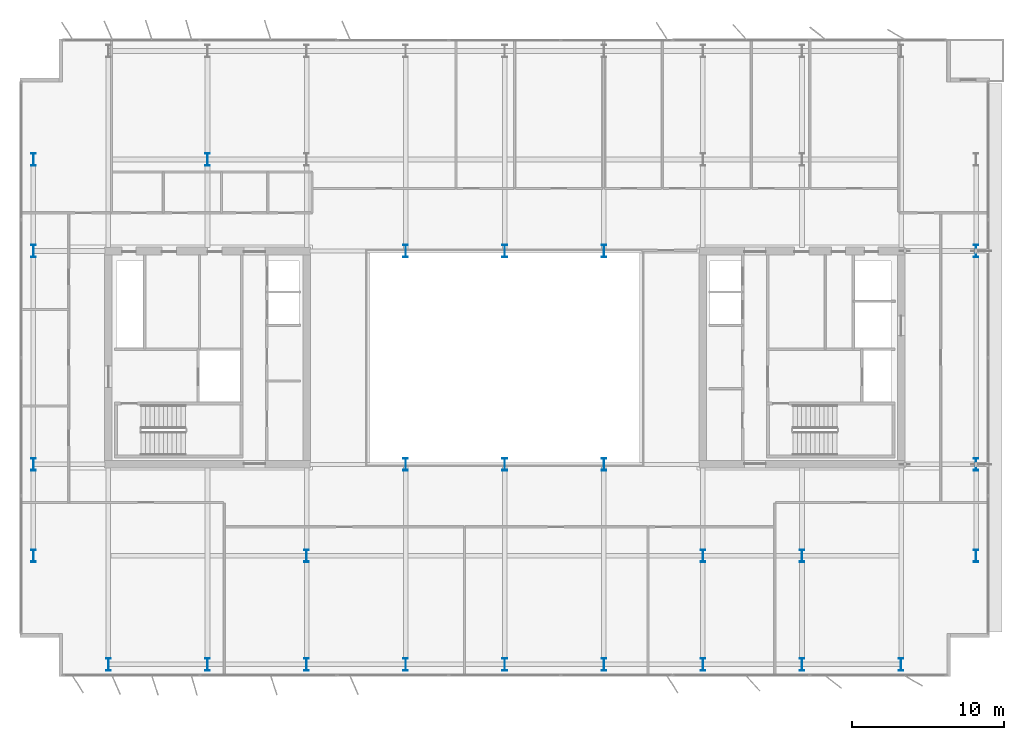
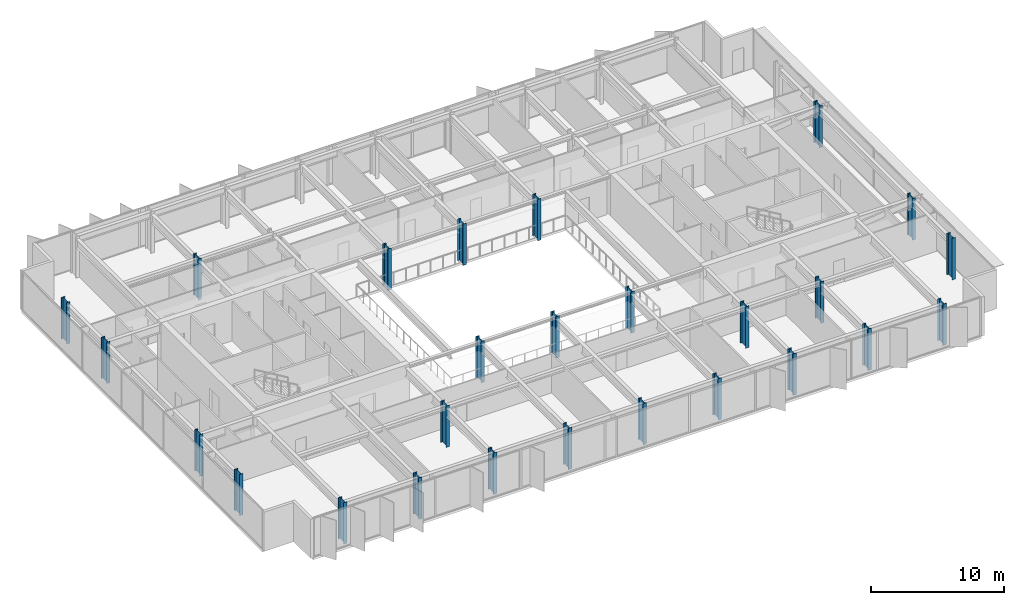
# One storey, part 1 of 19: 26 columns.
"""IFC4 building model written with IfcOpenShell, lengths in metres."""

from ifc_helpers import new_model, si_unit, direction, frame, origin, origin_2d, place, context, subcontext, project, spatial, i_section, extrude, material, material_profile, profile_set, type_object, element, save


model = new_model("IFC4")

# Units and contexts
model_context = context("Model", 3, precision=1e-05, world=origin(), true_north=direction((0.0, 1.0)))
body_context = subcontext(model_context, "Body", "Model", "MODEL_VIEW")
ifc_project = project(units=[si_unit("LENGTHUNIT", "METRE"), si_unit("AREAUNIT", "SQUARE_METRE"), si_unit("VOLUMEUNIT", "CUBIC_METRE"), si_unit("PLANEANGLEUNIT", "RADIAN"), si_unit("MASSUNIT", "GRAM", prefix="KILO")], contexts=[model_context])

# Site, building, storey
site_placement = place(None, origin())
site = spatial("IfcSite", under=ifc_project, at=site_placement, CompositionType="ELEMENT")
building_placement = place(site_placement, origin())
building = spatial("IfcBuilding", under=site, at=building_placement, Name="Putna Gate Headquarters", CompositionType="ELEMENT")
storey_placement = place(building_placement, frame((0.0, 0.0, 255.60009765625)))
storey = spatial("IfcBuildingStorey", under=building, at=storey_placement, Name="L64", CompositionType="ELEMENT", Elevation=255.60009765625)

# Columns
ifc_material = material(Name="Steel S460M", Category="steel")
ifc_material_profile_1 = material_profile(ifc_material, i_section(OverallWidth=0.302978515625, OverallDepth=0.81396484375, WebThickness=0.02099609375, FlangeThickness=0.0400390625, at=origin_2d()), Name="Steel S460M")
ifc_profile_set_1 = profile_set([ifc_material_profile_1], Name="Steel S460M")
column_type_1 = type_object("IfcColumnType", Name="COL-STL-HEM800-EXT", PredefinedType="COLUMN", material=ifc_profile_set_1)
for number, where, z_axis, x_axis, name in (
    (1, (13.0, 5.8798828125, 0.0), (0.0, 0.0, 1.0), (1.0, 0.0, 0.0), "L64 Column CP-S13"),
    (2, (19.5, 5.8798828125, 0.0), (0.0, 0.0, 1.0), (1.0, 0.0, 0.0), "L64 Column CP-S19"),
    (3, (26.0, 5.8798828125, 0.0), (0.0, 0.0, 1.0), (1.0, 0.0, 0.0), "L64 Column CP-S26"),
    (4, (32.5, 5.8798828125, 0.0), (0.0, 0.0, 1.0), (1.0, 0.0, 0.0), "L64 Column CP-S32"),
    (5, (39.0, 5.8798828125, 0.0), (0.0, 0.0, 1.0), (1.0, 0.0, 0.0), "L64 Column CP-S39"),
    (6, (45.5, 5.8798828125, 0.0), (0.0, 0.0, 1.0), (1.0, 0.0, 0.0), "L64 Column CP-S45"),
    (7, (52.0, 5.8798828125, 0.0), (0.0, 0.0, 1.0), (1.0, 0.0, 0.0), "L64 Column CP-S52"),
    (8, (58.5, 5.8798828125, 0.0), (0.0, 0.0, 1.0), (1.0, 0.0, 0.0), "L64 Column CP-S58"),
    (9, (65.0, 5.8798828125, 0.0), (0.0, 0.0, 1.0), (1.0, 0.0, 0.0), "L64 Column CP-S65"),
    (10, (8.080078125, 13.0, 0.0), (0.0, 0.0, 1.0), (1.0, 0.0, 0.0), "L64 Column CP-W13"),
    (11, (69.919921875, 13.0, 0.0), (0.0, 0.0, 1.0), (1.0, 0.0, 0.0), "L64 Column CP-E13"),
    (12, (8.080078125, 19.0, 0.0), (0.0, 0.0, 1.0), (1.0, 0.0, 0.0), "L64 Column CP-W19"),
    (13, (69.919921875, 19.0, 0.0), (0.0, 0.0, 1.0), (1.0, 0.0, 0.0), "L64 Column CP-E19"),
    (14, (8.080078125, 33.0, 0.0), (0.0, 0.0, 1.0), (1.0, 0.0, 0.0), "L64 Column CP-W33"),
    (15, (69.919921875, 33.0, 0.0), (0.0, 0.0, 1.0), (1.0, 0.0, 0.0), "L64 Column CP-E33"),
    (16, (8.080078125, 39.0, 0.0), (0.0, 0.0, 1.0), (1.0, 0.0, 0.0), "L64 Column CP-W39"),
):
    element("IfcColumn", number, at=place(storey_placement, frame(where, z_axis=z_axis, x_axis=x_axis)), inside=storey, type_object=column_type_1, Name=name, PredefinedType="COLUMN", context=body_context, shape_type="SweptSolid", body=[
        extrude(i_section(OverallWidth=0.302978515625, OverallDepth=0.81396484375, WebThickness=0.02099609375, FlangeThickness=0.0400390625, at=origin_2d()), origin(), (0.0, 0.0, 1.0), 3.7998046875),
    ])
ifc_material_profile_2 = material_profile(ifc_material, i_section(OverallWidth=0.302978515625, OverallDepth=0.81396484375, WebThickness=0.02099609375, FlangeThickness=0.0400390625, at=origin_2d()), Name="Steel S460M")
ifc_profile_set_2 = profile_set([ifc_material_profile_2], Name="Steel S460M")
column_type_2 = type_object("IfcColumnType", Name="COL-STL-HEM800-INT", PredefinedType="COLUMN", material=ifc_profile_set_2)
for number, where, z_axis, x_axis, name in (
    (17, (19.5, 39.0, 0.0), (0.0, 0.0, 1.0), (1.0, 0.0, 0.0), "L64 Column CSI-WN"),
    (18, (58.5, 13.0, 0.0), (0.0, 0.0, 1.0), (1.0, 0.0, 0.0), "L64 Column CSI-ES"),
    (19, (32.5, 19.0, 0.0), (0.0, 0.0, 1.0), (1.0, 0.0, 0.0), "L64 Column CAI-S32"),
    (20, (32.5, 33.0, 0.0), (0.0, 0.0, 1.0), (1.0, 0.0, 0.0), "L64 Column CAI-N32"),
    (21, (39.0, 19.0, 0.0), (0.0, 0.0, 1.0), (1.0, 0.0, 0.0), "L64 Column CAI-S39"),
    (22, (39.0, 33.0, 0.0), (0.0, 0.0, 1.0), (1.0, 0.0, 0.0), "L64 Column CAI-N39"),
    (23, (45.5, 19.0, 0.0), (0.0, 0.0, 1.0), (1.0, 0.0, 0.0), "L64 Column CAI-S45"),
    (24, (45.5, 33.0, 0.0), (0.0, 0.0, 1.0), (1.0, 0.0, 0.0), "L64 Column CAI-N45"),
    (25, (26.0, 13.0, 0.0), (0.0, 0.0, 1.0), (1.0, 0.0, 0.0), "L64 Column CAP-WS"),
    (26, (52.0, 13.0, 0.0), (0.0, 0.0, 1.0), (1.0, 0.0, 0.0), "L64 Column CAP-ES"),
):
    element("IfcColumn", number, at=place(storey_placement, frame(where, z_axis=z_axis, x_axis=x_axis)), inside=storey, type_object=column_type_2, Name=name, PredefinedType="COLUMN", context=body_context, shape_type="SweptSolid", body=[
        extrude(i_section(OverallWidth=0.302978515625, OverallDepth=0.81396484375, WebThickness=0.02099609375, FlangeThickness=0.0400390625, at=origin_2d()), origin(), (0.0, 0.0, 1.0), 3.7998046875),
    ])

save(model, "model.ifc")
